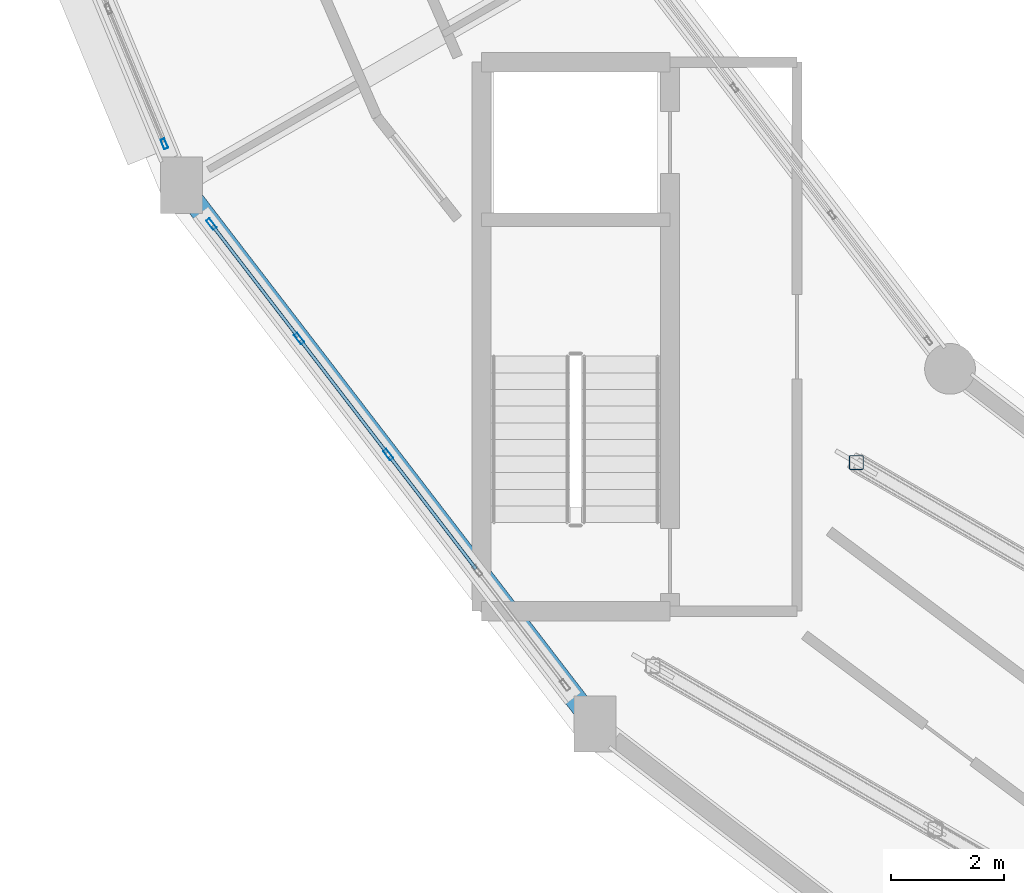
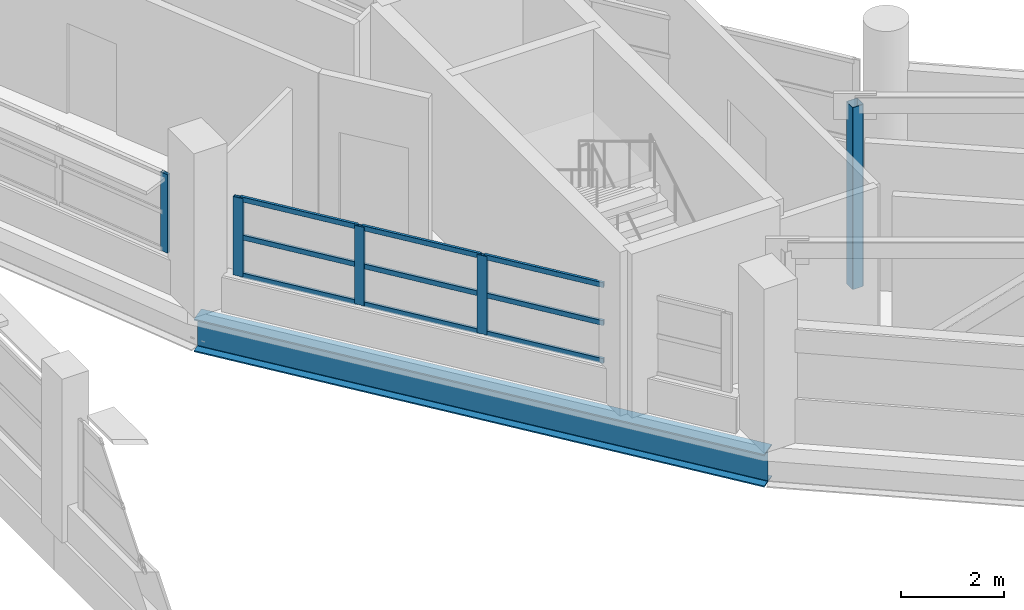
# One storey, part 20 of 121: 14 members, 1 beam, 2 elements without a shape of their own.
"""IFC4 building model written with IfcOpenShell, lengths in metres."""

from ifc_helpers import new_model, si_unit, direction, frame, origin, origin_2d, place, context, subcontext, project, spatial, hollow_rectangle, i_section, extrude, material, layer, layer_set, material_profile, profile_set, type_object, element, aggregate, save


model = new_model("IFC4")

# Units and contexts
model_context = context("Model", 3, precision=1e-05, world=origin(), true_north=direction((0.0, 1.0)))
body_context = subcontext(model_context, "Body", "Model", "MODEL_VIEW")
ifc_project = project(units=[si_unit("LENGTHUNIT", "METRE"), si_unit("AREAUNIT", "SQUARE_METRE"), si_unit("VOLUMEUNIT", "CUBIC_METRE"), si_unit("PLANEANGLEUNIT", "RADIAN"), si_unit("MASSUNIT", "GRAM", prefix="KILO")], contexts=[model_context])

# Site, building, storey
site_placement = place(None, origin())
site = spatial("IfcSite", under=ifc_project, at=site_placement, CompositionType="ELEMENT")
building_placement = place(site_placement, origin())
building = spatial("IfcBuilding", under=site, at=building_placement, Name="Vespera Passage Community Centre", CompositionType="ELEMENT")
storey_placement = place(building_placement, frame((0.0, 0.0, 8.699951171875)))
storey = spatial("IfcBuildingStorey", under=building, at=storey_placement, Name="L02", CompositionType="ELEMENT", Elevation=8.699951171875)

# Beam
ifc_material_1 = material(Name="Steel ASTM A992 Grade 50", Category="steel")
ifc_material_profile_1 = material_profile(ifc_material_1, i_section(OverallWidth=0.382080078125, OverallDepth=0.779296875, WebThickness=0.01806640625, FlangeThickness=0.030029296875, FilletRadius=0.0166015625, at=origin_2d()), Name="W30X191")
ifc_profile_set_1 = profile_set([ifc_material_profile_1], Name="Steel ASTM A992 Grade 50")
beam_type = type_object("IfcBeamType", Name="BM-SP-W30X191E", PredefinedType="SPANDREL", material=ifc_profile_set_1)
beam_placement = place(storey_placement, frame((38.076171875, 42.449951171875, -0.729736328125), z_axis=(0.608763261066, -0.793351934501, 0.0), x_axis=(0.793351934501, 0.608763261066, 0.0)))
element("IfcBeam", 1, at=beam_placement, inside=storey, type_object=beam_type, Name="V4 L02 Outer Spandrel 14", PredefinedType="SPANDREL", context=body_context, shape_type="SweptSolid", body=[
    extrude(i_section(OverallWidth=0.382080078125, OverallDepth=0.779296875, WebThickness=0.01806640625, FlangeThickness=0.030029296875, FilletRadius=0.0166015625, at=origin_2d()), origin(), (0.0, 0.0, 1.0), 12.034423828125),
])

# Curtain wall, member
ifc_material_2 = material(Name="Anodized aluminium 6063-T6", Category="aluminium")
ifc_layer_1 = layer(ifc_material_2, 0.159912109375)
ifc_layer_set_1 = layer_set([ifc_layer_1], Name="Anodized aluminium 6063-T6")
curtain_wall_type_1 = type_object("IfcCurtainWallType", Name="CW-35E", PredefinedType="NOTDEFINED", material=ifc_layer_set_1)
curtain_wall_1_placement = place(storey_placement, origin())
curtain_wall_1 = element("IfcCurtainWall", 2, at=curtain_wall_1_placement, inside=storey, type_object=curtain_wall_type_1, Name="V4 L02 Outer Ribbon Curtain Wall 13", PredefinedType="NOTDEFINED")
ifc_material_3 = material(Name="Anodized aluminium 6063-T6", Category="aluminium")
ifc_material_profile_2 = material_profile(ifc_material_3, hollow_rectangle(XDim=0.074951171875, YDim=0.179931640625, WallThickness=0.0048828125, InnerFilletRadius=0.00244140625, OuterFilletRadius=0.0048828125, at=origin_2d()), Name="ALU180X75X5")
ifc_profile_set_2 = profile_set([ifc_material_profile_2], Name="Anodized aluminium 6063-T6")
member_type_1 = type_object("IfcMemberType", Name="MB-CWM-180E", PredefinedType="MULLION", material=ifc_profile_set_2)
member_1_placement = place(storey_placement, frame((37.7724609375, 43.183349609375, 0.820068359375), z_axis=(0.0, 0.0, 1.0), x_axis=(-0.923881309405, -0.382679142535, 0.0)))
member_1 = element("IfcMember", 3, at=member_1_placement, type_object=member_type_1, Name="CW-35E mullion 1", PredefinedType="MULLION", context=body_context, shape_type="SweptSolid", body=[
    extrude(hollow_rectangle(XDim=0.074951171875, YDim=0.179931640625, WallThickness=0.0048828125, InnerFilletRadius=0.00244140625, OuterFilletRadius=0.0048828125, at=origin_2d()), origin(), (0.0, 0.0, 1.0), 1.865478515625),
])
aggregate(curtain_wall_1, [member_1])

# Curtain wall, members
ifc_material_4 = material(Name="Anodized aluminium 6063-T6", Category="aluminium")
ifc_layer_2 = layer(ifc_material_4, 0.159912109375)
ifc_layer_set_2 = layer_set([ifc_layer_2], Name="Anodized aluminium 6063-T6")
curtain_wall_type_2 = type_object("IfcCurtainWallType", Name="CW-36E", PredefinedType="NOTDEFINED", material=ifc_layer_set_2)
curtain_wall_2_placement = place(storey_placement, origin())
curtain_wall_2 = element("IfcCurtainWall", 4, at=curtain_wall_2_placement, inside=storey, type_object=curtain_wall_type_2, Name="V4 L02 Outer Ribbon Curtain Wall 14", PredefinedType="NOTDEFINED")
ifc_material_5 = material(Name="Anodized aluminium 6063-T6", Category="aluminium")
ifc_material_profile_3 = material_profile(ifc_material_5, hollow_rectangle(XDim=0.074951171875, YDim=0.2099609375, WallThickness=0.0048828125, InnerFilletRadius=0.00244140625, OuterFilletRadius=0.0048828125, at=origin_2d()), Name="ALU210X75X5")
ifc_profile_set_3 = profile_set([ifc_material_profile_3], Name="Anodized aluminium 6063-T6")
member_type_2 = type_object("IfcMemberType", Name="MB-CWM-210E", PredefinedType="MULLION", material=ifc_profile_set_3)
member_2_placement = place(storey_placement, frame((41.7392578125, 37.67626953125, 0.820068359375), z_axis=(0.0, 0.0, 1.0), x_axis=(-0.793350257139, -0.608765447029, 0.0)))
member_2 = element("IfcMember", 5, at=member_2_placement, type_object=member_type_2, Name="CW-36E mullion 3", PredefinedType="MULLION", context=body_context, shape_type="SweptSolid", body=[
    extrude(hollow_rectangle(XDim=0.074951171875, YDim=0.2099609375, WallThickness=0.0048828125, InnerFilletRadius=0.00244140625, OuterFilletRadius=0.0048828125, at=origin_2d()), origin(), (0.0, 0.0, 1.0), 1.865478515625),
])
member_3_placement = place(storey_placement, frame((40.16064453125, 39.7333984375, 0.820068359375), z_axis=(0.0, 0.0, 1.0), x_axis=(-0.793350257139, -0.608765447029, 0.0)))
member_3 = element("IfcMember", 6, at=member_3_placement, type_object=member_type_2, Name="CW-36E mullion 4", PredefinedType="MULLION", context=body_context, shape_type="SweptSolid", body=[
    extrude(hollow_rectangle(XDim=0.074951171875, YDim=0.2099609375, WallThickness=0.0048828125, InnerFilletRadius=0.00244140625, OuterFilletRadius=0.0048828125, at=origin_2d()), origin(), (0.0, 0.0, 1.0), 1.865478515625),
])
member_4_placement = place(storey_placement, frame((38.60498046875, 41.760986328125, 0.820068359375), z_axis=(0.0, 0.0, 1.0), x_axis=(-0.793350257139, -0.608765447029, 0.0)))
member_4 = element("IfcMember", 7, at=member_4_placement, type_object=member_type_2, Name="CW-36E mullion 5", PredefinedType="MULLION", context=body_context, shape_type="SweptSolid", body=[
    extrude(hollow_rectangle(XDim=0.074951171875, YDim=0.2099609375, WallThickness=0.0048828125, InnerFilletRadius=0.00244140625, OuterFilletRadius=0.0048828125, at=origin_2d()), origin(), (0.0, 0.0, 1.0), 1.865478515625),
])
ifc_material_6 = material(Name="Anodized aluminium 6063-T6", Category="aluminium")
ifc_material_profile_4 = material_profile(ifc_material_6, hollow_rectangle(XDim=0.06005859375, YDim=0.1201171875, WallThickness=0.00390625, InnerFilletRadius=0.001953125, OuterFilletRadius=0.00390625, at=origin_2d()), Name="ALU120X60X4")
ifc_profile_set_4 = profile_set([ifc_material_profile_4], Name="Anodized aluminium 6063-T6")
member_type_3 = type_object("IfcMemberType", Name="MB-CWT-120E", PredefinedType="USERDEFINED", material=ifc_profile_set_4)
member_5_placement = place(storey_placement, frame((43.295166015625, 35.648681640625, 0.85009765625), z_axis=(-0.608759186888, 0.793355060726, 0.0), x_axis=(-0.793355060726, -0.608759186888, 0.0)))
member_5 = element("IfcMember", 8, at=member_5_placement, type_object=member_type_3, Name="CW-36E transom 2.1", ObjectType="TRANSOM", PredefinedType="USERDEFINED", context=body_context, shape_type="SweptSolid", body=[
    extrude(hollow_rectangle(XDim=0.06005859375, YDim=0.1201171875, WallThickness=0.00390625, InnerFilletRadius=0.001953125, OuterFilletRadius=0.00390625, at=origin_2d()), origin(), (0.0, 0.0, 1.0), 2.51806640625),
])
member_6_placement = place(storey_placement, frame((43.295166015625, 35.648681640625, 1.7529296875), z_axis=(-0.608759186888, 0.793355060726, 0.0), x_axis=(-0.793355060726, -0.608759186888, 0.0)))
member_6 = element("IfcMember", 9, at=member_6_placement, type_object=member_type_3, Name="CW-36E transom 2.2", ObjectType="TRANSOM", PredefinedType="USERDEFINED", context=body_context, shape_type="SweptSolid", body=[
    extrude(hollow_rectangle(XDim=0.06005859375, YDim=0.1201171875, WallThickness=0.00390625, InnerFilletRadius=0.001953125, OuterFilletRadius=0.00390625, at=origin_2d()), origin(), (0.0, 0.0, 1.0), 2.51806640625),
])
member_7_placement = place(storey_placement, frame((43.295166015625, 35.648681640625, 2.65576171875), z_axis=(-0.608759186888, 0.793355060726, 0.0), x_axis=(-0.793355060726, -0.608759186888, 0.0)))
member_7 = element("IfcMember", 10, at=member_7_placement, type_object=member_type_3, Name="CW-36E transom 2.3", ObjectType="TRANSOM", PredefinedType="USERDEFINED", context=body_context, shape_type="SweptSolid", body=[
    extrude(hollow_rectangle(XDim=0.06005859375, YDim=0.1201171875, WallThickness=0.00390625, InnerFilletRadius=0.001953125, OuterFilletRadius=0.00390625, at=origin_2d()), origin(), (0.0, 0.0, 1.0), 2.51806640625),
])
member_8_placement = place(storey_placement, frame((41.716552734375, 37.7060546875, 0.85009765625), z_axis=(-0.608806013392, 0.7933191275, 0.0), x_axis=(-0.7933191275, -0.608806013392, 0.0)))
member_8 = element("IfcMember", 11, at=member_8_placement, type_object=member_type_3, Name="CW-36E transom 3.1", ObjectType="TRANSOM", PredefinedType="USERDEFINED", context=body_context, shape_type="SweptSolid", body=[
    extrude(hollow_rectangle(XDim=0.06005859375, YDim=0.1201171875, WallThickness=0.00390625, InnerFilletRadius=0.001953125, OuterFilletRadius=0.00390625, at=origin_2d()), origin(), (0.0, 0.0, 1.0), 2.51806640625),
])
member_9_placement = place(storey_placement, frame((41.716552734375, 37.7060546875, 1.7529296875), z_axis=(-0.608806013392, 0.7933191275, 0.0), x_axis=(-0.7933191275, -0.608806013392, 0.0)))
member_9 = element("IfcMember", 12, at=member_9_placement, type_object=member_type_3, Name="CW-36E transom 3.2", ObjectType="TRANSOM", PredefinedType="USERDEFINED", context=body_context, shape_type="SweptSolid", body=[
    extrude(hollow_rectangle(XDim=0.06005859375, YDim=0.1201171875, WallThickness=0.00390625, InnerFilletRadius=0.001953125, OuterFilletRadius=0.00390625, at=origin_2d()), origin(), (0.0, 0.0, 1.0), 2.51806640625),
])
member_10_placement = place(storey_placement, frame((41.716552734375, 37.7060546875, 2.65576171875), z_axis=(-0.608806013392, 0.7933191275, 0.0), x_axis=(-0.7933191275, -0.608806013392, 0.0)))
member_10 = element("IfcMember", 13, at=member_10_placement, type_object=member_type_3, Name="CW-36E transom 3.3", ObjectType="TRANSOM", PredefinedType="USERDEFINED", context=body_context, shape_type="SweptSolid", body=[
    extrude(hollow_rectangle(XDim=0.06005859375, YDim=0.1201171875, WallThickness=0.00390625, InnerFilletRadius=0.001953125, OuterFilletRadius=0.00390625, at=origin_2d()), origin(), (0.0, 0.0, 1.0), 2.51806640625),
])
member_11_placement = place(storey_placement, frame((40.137939453125, 39.76318359375, 0.85009765625), z_axis=(-0.608797179099, 0.793325907002, 0.0), x_axis=(-0.793325907002, -0.608797179099, 0.0)))
member_11 = element("IfcMember", 14, at=member_11_placement, type_object=member_type_3, Name="CW-36E transom 4.1", ObjectType="TRANSOM", PredefinedType="USERDEFINED", context=body_context, shape_type="SweptSolid", body=[
    extrude(hollow_rectangle(XDim=0.06005859375, YDim=0.1201171875, WallThickness=0.00390625, InnerFilletRadius=0.001953125, OuterFilletRadius=0.00390625, at=origin_2d()), origin(), (0.0, 0.0, 1.0), 2.480712890625),
])
member_12_placement = place(storey_placement, frame((40.137939453125, 39.76318359375, 1.7529296875), z_axis=(-0.608797179099, 0.793325907002, 0.0), x_axis=(-0.793325907002, -0.608797179099, 0.0)))
member_12 = element("IfcMember", 15, at=member_12_placement, type_object=member_type_3, Name="CW-36E transom 4.2", ObjectType="TRANSOM", PredefinedType="USERDEFINED", context=body_context, shape_type="SweptSolid", body=[
    extrude(hollow_rectangle(XDim=0.06005859375, YDim=0.1201171875, WallThickness=0.00390625, InnerFilletRadius=0.001953125, OuterFilletRadius=0.00390625, at=origin_2d()), origin(), (0.0, 0.0, 1.0), 2.480712890625),
])
member_13_placement = place(storey_placement, frame((40.137939453125, 39.76318359375, 2.65576171875), z_axis=(-0.608797179099, 0.793325907002, 0.0), x_axis=(-0.793325907002, -0.608797179099, 0.0)))
member_13 = element("IfcMember", 16, at=member_13_placement, type_object=member_type_3, Name="CW-36E transom 4.3", ObjectType="TRANSOM", PredefinedType="USERDEFINED", context=body_context, shape_type="SweptSolid", body=[
    extrude(hollow_rectangle(XDim=0.06005859375, YDim=0.1201171875, WallThickness=0.00390625, InnerFilletRadius=0.001953125, OuterFilletRadius=0.00390625, at=origin_2d()), origin(), (0.0, 0.0, 1.0), 2.480712890625),
])
aggregate(curtain_wall_2, [member_2, member_3, member_4, member_5, member_6, member_7, member_8, member_9, member_10, member_11, member_12, member_13])

# Member
ifc_material_7 = material(Name="Steel ASTM A500 Grade C", Category="steel")
ifc_material_profile_5 = material_profile(ifc_material_7, hollow_rectangle(XDim=0.25390625, YDim=0.25390625, WallThickness=0.01171875, InnerFilletRadius=0.01171875, OuterFilletRadius=0.023681640625, at=origin_2d()), Name="HSS254X254X12.7")
ifc_profile_set_5 = profile_set([ifc_material_profile_5], Name="Steel ASTM A500 Grade C")
member_type_4 = type_object("IfcMemberType", Name="TP-254", PredefinedType="POST", material=ifc_profile_set_5)
member_14_placement = place(storey_placement, frame((50.033935546875, 37.533935546875, -0.849853515625), z_axis=(0.0, 0.0, 1.0), x_axis=(1.0, 0.0, 0.0)))
element("IfcMember", 17, at=member_14_placement, inside=storey, type_object=member_type_4, Name="Truss TR2I Vertical Post 1", PredefinedType="POST", context=body_context, shape_type="SweptSolid", body=[
    extrude(hollow_rectangle(XDim=0.25390625, YDim=0.25390625, WallThickness=0.01171875, InnerFilletRadius=0.01171875, OuterFilletRadius=0.023681640625, at=origin_2d()), origin(), (0.0, 0.0, 1.0), 4.329833984375),
])

save(model, "model.ifc")
